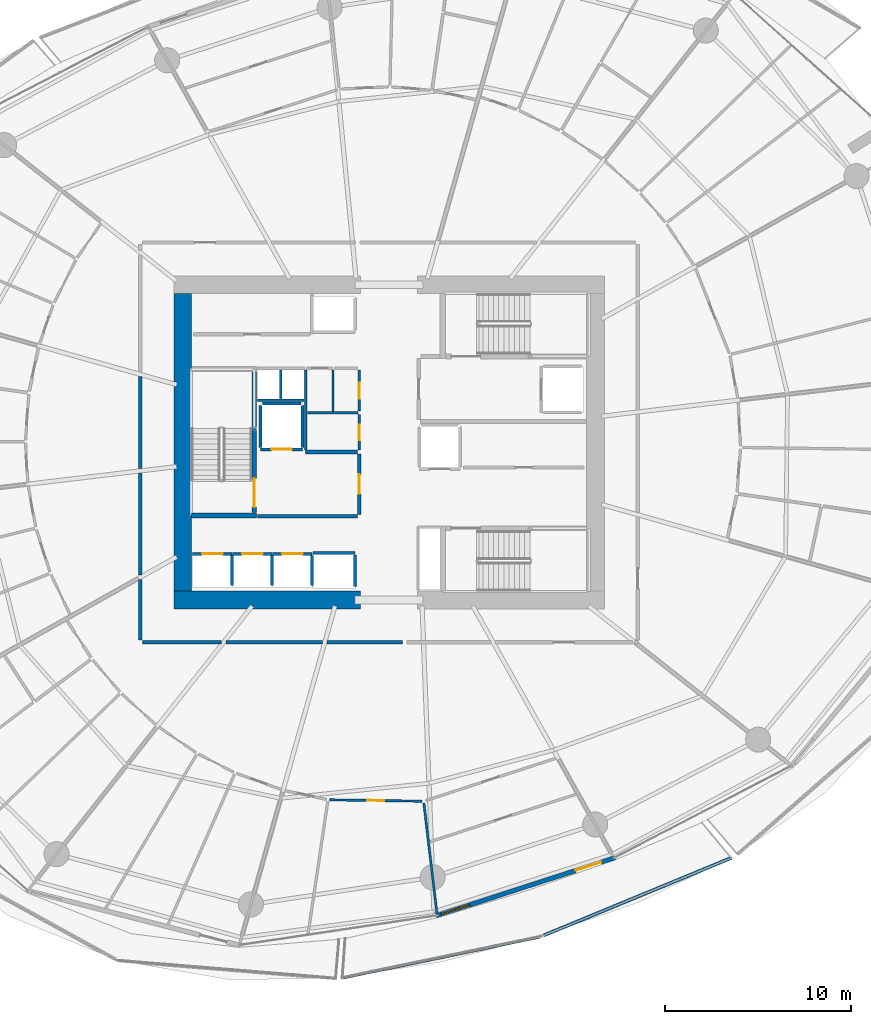
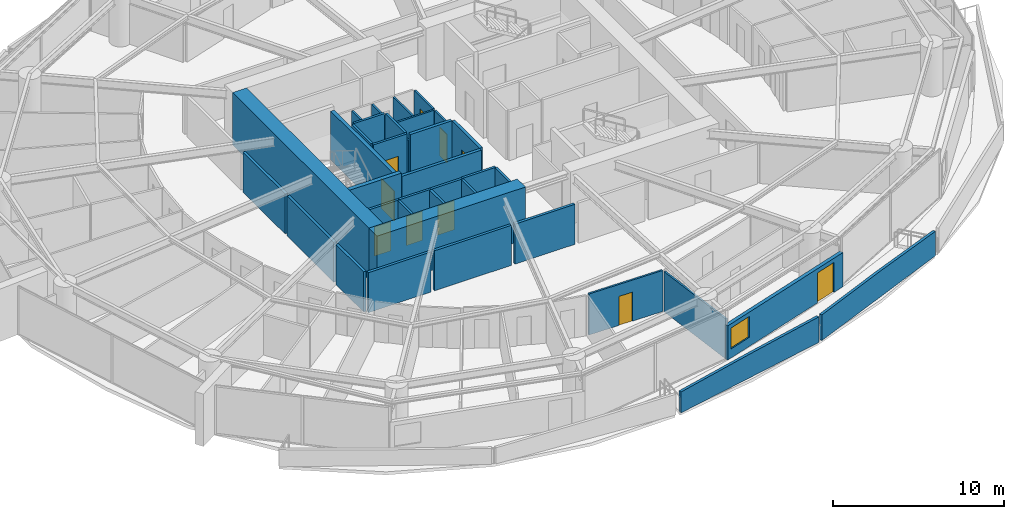
# One storey, part 20 of 31: 37 walls, 10 doors, 1 window, 11 openings.
"""IFC4 building model written with IfcOpenShell, lengths in metres."""

import ifcopenshell
import ifcopenshell.guid

model = None  # the IFC model being written
_history = None  # IfcOwnerHistory: only IFC2X3 demands one
_inside = {}  # id of a spatial element -> (the spatial element, [elements in it])
_under = {}  # id of a project, library or spatial element -> (it, [spatial elements below it])
_declared = {}  # id of a project -> (the project, [libraries it declares])
_typed = {}  # id of a type object -> (the type object, [elements of that type])
_made_of = {}  # id of a material, layer set ... -> (it, [elements and type objects made of it])


def new_model(schema):
    """Start an empty IFC model of exactly this schema.

    Asked for "IFC4X3", IfcOpenShell would pick the latest addendum, in which some entities
    have other attributes; the version numbers below select the first issue.
    IFC2X3 requires an IfcOwnerHistory on every rooted entity: one is made here for all.
    """
    global model, _history
    if schema == "IFC4X3":
        model = ifcopenshell.file(schema_version=(4, 3, 0, 0))
    else:
        model = ifcopenshell.file(schema=schema)
    _inside.clear()
    _under.clear()
    _declared.clear()
    _typed.clear()
    _made_of.clear()
    _history = None
    if model.schema == "IFC2X3":
        org = make("IfcOrganization", Name="unknown")
        user = make(
            "IfcPersonAndOrganization",
            ThePerson=make("IfcPerson", FamilyName="unknown"),
            TheOrganization=org,
        )
        app = make(
            "IfcApplication",
            ApplicationDeveloper=org,
            Version="unknown",
            ApplicationFullName="unknown",
            ApplicationIdentifier="unknown",
        )
        _history = make(
            "IfcOwnerHistory",
            OwningUser=user,
            OwningApplication=app,
            ChangeAction="ADDED",
            CreationDate=0,
        )
    return model


def make(cls, **values):
    """One entity of the class cls with the attributes given. An attribute that is None is left unset."""
    return model.create_entity(
        cls, **{name: value for name, value in values.items() if value is not None}
    )


def rooted(cls, **values):
    """An entity with a GlobalId (a new one), such as an element, a storey or a relation."""
    return make(cls, GlobalId=ifcopenshell.guid.new(), OwnerHistory=_history, **values)


def si_unit(unit_type, name, prefix=None):
    """IfcSIUnit, for example si_unit("LENGTHUNIT", "METRE", prefix="MILLI")."""
    return make("IfcSIUnit", UnitType=unit_type, Prefix=prefix, Name=name)


def assignment(units):
    """IfcUnitAssignment: the units of a project."""
    return None if units is None else make("IfcUnitAssignment", Units=units)


def point(xyz):
    """IfcCartesianPoint."""
    return None if xyz is None else make("IfcCartesianPoint", Coordinates=xyz)


def direction(xyz):
    """IfcDirection."""
    return None if xyz is None else make("IfcDirection", DirectionRatios=xyz)


def frame(location, z_axis=None, x_axis=None):
    """IfcAxis2Placement3D, a coordinate frame: its origin and axes. An axis left out is left unset."""
    return make(
        "IfcAxis2Placement3D",
        Location=point(location),
        Axis=direction(z_axis),
        RefDirection=direction(x_axis),
    )


def frame_2d(location, x_axis=None):
    """IfcAxis2Placement2D, a coordinate frame in the plane: its origin and x axis."""
    return make(
        "IfcAxis2Placement2D", Location=point(location), RefDirection=direction(x_axis)
    )


def origin():
    """The frame at (0, 0, 0) with its axes left unset."""
    return frame((0.0, 0.0, 0.0))


def place(relative_to, where):
    """IfcLocalPlacement: puts the frame where relative to a parent placement (None: the world)."""
    return make(
        "IfcLocalPlacement", PlacementRelTo=relative_to, RelativePlacement=where
    )


def context(
    kind, dimensions, precision=None, world=None, true_north=None, identifier=None
):
    """IfcGeometricRepresentationContext, for example the 3D "Model" context."""
    return make(
        "IfcGeometricRepresentationContext",
        ContextIdentifier=identifier,
        ContextType=kind,
        CoordinateSpaceDimension=dimensions,
        Precision=precision,
        WorldCoordinateSystem=world,
        TrueNorth=true_north,
    )


def subcontext(parent, identifier, kind, view, scale=None):
    """IfcGeometricRepresentationSubContext, for example "Body" below "Model"."""
    return make(
        "IfcGeometricRepresentationSubContext",
        ContextIdentifier=identifier,
        ContextType=kind,
        ParentContext=parent,
        TargetScale=scale,
        TargetView=view,
    )


def project(units=None, contexts=None):
    """IfcProject with its units and contexts."""
    return rooted(
        "IfcProject",
        Name="project",
        RepresentationContexts=contexts,
        UnitsInContext=assignment(units),
    )


def spatial(cls, under=None, at=None, **own):
    """A site, building, storey or space (cls), placed at a placement, below another one or the project."""
    s = rooted(cls, ObjectPlacement=at, **own)
    if under is not None:
        _under.setdefault(under.id(), (under, []))[1].append(s)
    return s


def polyline(points):
    """IfcPolyline through the points."""
    return make("IfcPolyline", Points=[point(p) for p in points])


def profile(cls, at=None, kind="AREA", **sizes):
    """A parametric profile (cls). Its sizes go by their IFC names, for example OverallWidth=200.0."""
    return make(cls, ProfileType=kind, Position=at, **sizes)


def rectangle(**sizes):
    """IfcRectangleProfileDef."""
    return profile("IfcRectangleProfileDef", **sizes)


def outline(outer, holes=None, kind="AREA"):
    """IfcArbitraryClosedProfileDef: a profile drawn as a closed curve; with holes, ...WithVoids."""
    if holes is None:
        return make("IfcArbitraryClosedProfileDef", ProfileType=kind, OuterCurve=outer)
    return make(
        "IfcArbitraryProfileDefWithVoids",
        ProfileType=kind,
        OuterCurve=outer,
        InnerCurves=holes,
    )


def extrude(swept, where, along, depth):
    """IfcExtrudedAreaSolid: the profile swept, set in the frame where, extruded along a direction by depth."""
    return make(
        "IfcExtrudedAreaSolid",
        SweptArea=swept,
        Position=where,
        ExtrudedDirection=direction(along),
        Depth=depth,
    )


def shape(context_of_items, identifier, shape_type, items):
    """IfcShapeRepresentation: the items that make up one representation, for example the "Body"."""
    return make(
        "IfcShapeRepresentation",
        ContextOfItems=context_of_items,
        RepresentationIdentifier=identifier,
        RepresentationType=shape_type,
        Items=items,
    )


def material(Name=None, Category=None):
    """IfcMaterial."""
    return make("IfcMaterial", Name=Name, Category=Category)


def layer(
    of_material, thickness, ventilated=None, Name=None, Category=None, Priority=None
):
    """IfcMaterialLayer: one layer of a wall or slab, of a material (None: an air gap)."""
    return make(
        "IfcMaterialLayer",
        Material=of_material,
        LayerThickness=thickness,
        IsVentilated=ventilated,
        Name=Name,
        Category=Category,
        Priority=Priority,
    )


def layer_set(layers, Name=None):
    """IfcMaterialLayerSet."""
    return make("IfcMaterialLayerSet", MaterialLayers=layers, LayerSetName=Name)


def made_of(thing, what):
    """Note that an element or type object is made of a material, layer set ...; save() writes the relation."""
    if what is not None:
        _made_of.setdefault(what.id(), (what, []))[1].append(thing)
    return thing


def type_object(cls, material=None, **own):
    """A type object (cls), such as IfcWallType, which elements share."""
    return made_of(rooted(cls, **own), material)


def element(
    cls,
    number,
    at=None,
    inside=None,
    cuts=None,
    type_object=None,
    material=None,
    context=None,
    identifier="Body",
    shape_type=None,
    held_by="IfcProductDefinitionShape",
    body=None,
    shapes=None,
    **own,
):
    """One element of the class cls, such as IfcWall. Its Tag is "e" and its number.

    at: its placement. inside: the storey or other place that contains it. cuts: it is an
    opening in that element (IfcRelVoidsElement). A single representation is given by context,
    identifier, shape_type and body (its items); several are given by shapes. held_by: the class
    of the entity that holds the representations. save() writes the other relations.
    """
    e = rooted(cls, Tag="e%d" % number, ObjectPlacement=at, **own)
    if body is not None:
        shapes = [shape(context, identifier, shape_type, body)]
    if shapes is not None:
        e.Representation = make(held_by, Representations=shapes)
    if inside is not None:
        _inside.setdefault(inside.id(), (inside, []))[1].append(e)
    if cuts is not None:
        rooted(
            "IfcRelVoidsElement", RelatingBuildingElement=cuts, RelatedOpeningElement=e
        )
    if type_object is not None:
        _typed.setdefault(type_object.id(), (type_object, []))[1].append(e)
    return made_of(e, material)


def fill(opening, filler):
    """IfcRelFillsElement: the door or window that sits in an opening."""
    return rooted(
        "IfcRelFillsElement",
        RelatingOpeningElement=opening,
        RelatedBuildingElement=filler,
    )


def aggregate(whole, parts):
    """IfcRelAggregates: a whole, such as a stair, and the parts it consists of."""
    return rooted("IfcRelAggregates", RelatingObject=whole, RelatedObjects=parts)


def save(model, path):
    """Write the relations noted so far, then the file.

    IfcRelAggregates (storeys below a building ...), IfcRelContainedInSpatialStructure (elements
    in a storey), IfcRelDefinesByType, IfcRelAssociatesMaterial and IfcRelDeclares: one each for
    every whole, place, type object, material and project.
    """
    for whole, parts in _under.values():
        aggregate(whole, parts)
    for where, things in _inside.values():
        rooted(
            "IfcRelContainedInSpatialStructure",
            RelatedElements=things,
            RelatingStructure=where,
        )
    for kind, things in _typed.values():
        rooted("IfcRelDefinesByType", RelatedObjects=things, RelatingType=kind)
    for what, things in _made_of.values():
        rooted("IfcRelAssociatesMaterial", RelatedObjects=things, RelatingMaterial=what)
    for by, libraries in _declared.values():
        rooted("IfcRelDeclares", RelatingContext=by, RelatedDefinitions=libraries)
    model.write(path)


model = new_model("IFC4")

# Units and contexts
model_context = context("Model", 3, precision=1e-05, world=origin(), true_north=direction((0.0, 1.0)))
body_context = subcontext(model_context, "Body", "Model", "MODEL_VIEW")
ifc_project = project(units=[si_unit("LENGTHUNIT", "METRE"), si_unit("AREAUNIT", "SQUARE_METRE"), si_unit("VOLUMEUNIT", "CUBIC_METRE"), si_unit("PLANEANGLEUNIT", "RADIAN"), si_unit("MASSUNIT", "GRAM", prefix="KILO")], contexts=[model_context])

# Site, building, storey
site_placement = place(None, origin())
site = spatial("IfcSite", under=ifc_project, at=site_placement, CompositionType="ELEMENT")
building_placement = place(site_placement, origin())
building = spatial("IfcBuilding", under=site, at=building_placement, Name="Kazma Halo Residences", CompositionType="ELEMENT")
storey_placement = place(building_placement, frame((0.0, 0.0, 41.39990234375)))
storey = spatial("IfcBuildingStorey", under=building, at=storey_placement, Name="L09", CompositionType="ELEMENT", Elevation=41.39990234375)

# Walls
ifc_material_1 = material(Name="White Concrete C50/60 Balustrade", Category="concrete")
ifc_layer_1 = layer(ifc_material_1, 0.179931640625)
ifc_layer_set_1 = layer_set([ifc_layer_1], Name="White Concrete C50/60 Balustrade")
wall_type_1 = type_object("IfcWallType", Name="WL-BAL-WAVE-180", PredefinedType="PARAPET", material=ifc_layer_set_1)
wall_1_placement = place(storey_placement, frame((45.9111328125, 13.21044921875, 0.0), z_axis=(0.0, 0.0, 1.0), x_axis=(0.979112078275, 0.203321268379, 0.0)))
element("IfcWall", 1, at=wall_1_placement, inside=storey, type_object=wall_type_1, Name="L09 white wave balustrade wall SSE.1", PredefinedType="PARAPET", context=body_context, shape_type="SweptSolid", body=[
    extrude(outline(polyline([(0.0, 0.0), (10.828369140625, 0.0), (10.82861328125, 1.83203125), (5.414306640625, 1.696044921875), (0.0, 1.4970703125), (0.0, 0.0)])), frame((0.0, 0.08984375, 0.0), z_axis=(0.0, -1.0, 0.0), x_axis=(1.0, 0.0, 0.0)), (0.0, 0.0, 1.0), 0.179931640625),
])
wall_2_placement = place(storey_placement, frame((56.741943359375, 15.482421875, 0.0), z_axis=(0.0, 0.0, 1.0), x_axis=(0.924219630584, 0.381861328813, 0.0)))
element("IfcWall", 2, at=wall_2_placement, inside=storey, type_object=wall_type_1, Name="L09 white wave balustrade wall SSE.2", PredefinedType="PARAPET", context=body_context, shape_type="SweptSolid", body=[
    extrude(outline(polyline([(0.0, 0.0), (10.93408203125, 0.0), (10.93408203125, 1.756103515625), (5.467041015625, 1.85302734375), (0.0, 1.83203125), (0.0, 0.0)])), frame((0.0, 0.08984375, 0.0), z_axis=(0.0, -1.0, 0.0), x_axis=(1.0, 0.0, 0.0)), (0.0, 0.0, 1.0), 0.179931640625),
])
ifc_material_2 = material(Name="Concrete C80/95", Category="concrete")
ifc_layer_2 = layer(ifc_material_2, 0.949951171875)
ifc_layer_set_2 = layer_set([ifc_layer_2], Name="Concrete C80/95")
wall_type_2 = type_object("IfcWallType", Name="WL-CORE-950", PredefinedType="SHEAR", material=ifc_layer_set_2)
wall_3_placement = place(storey_placement, frame((36.85009765625, 33.52490234375, 0.0), z_axis=(0.0, 0.0, 1.0), x_axis=(1.0, 0.0, 0.0)))
element("IfcWall", 3, at=wall_3_placement, inside=storey, type_object=wall_type_2, Name="L09 central core shear wall SW", PredefinedType="SHEAR", context=body_context, shape_type="SweptSolid", body=[
    extrude(rectangle(XDim=10.0498046875, YDim=0.949951171875, at=frame_2d((5.02490234375, 0.0))), origin(), (0.0, 0.0, 1.0), 3.75),
])
wall_4_placement = place(storey_placement, frame((37.324951171875, 34.0, 0.0), z_axis=(0.0, 0.0, 1.0), x_axis=(0.0, 1.0, 0.0)))
element("IfcWall", 4, at=wall_4_placement, inside=storey, type_object=wall_type_2, Name="L09 central core shear wall W", PredefinedType="SHEAR", context=body_context, shape_type="SweptSolid", body=[
    extrude(rectangle(XDim=16.0, YDim=0.949951171875, at=frame_2d((8.0, 0.0))), origin(), (0.0, 0.0, 1.0), 3.75),
])
ifc_material_3 = material(Name="Concrete C60/75", Category="concrete")
ifc_layer_3 = layer(ifc_material_3, 0.280029296875)
ifc_layer_set_3 = layer_set([ifc_layer_3], Name="Concrete C60/75")
wall_type_3 = type_object("IfcWallType", Name="WL-CORE-ST-280", PredefinedType="SHEAR", material=ifc_layer_set_3)
wall_5_placement = place(storey_placement, frame((37.800048828125, 38.06005859375, 0.0), z_axis=(0.0, 0.0, 1.0), x_axis=(1.0, 0.0, 0.0)))
element("IfcWall", 5, at=wall_5_placement, inside=storey, type_object=wall_type_3, Name="L09 stairwell bearing wall ST01-S", PredefinedType="SHEAR", context=body_context, shape_type="SweptSolid", body=[
    extrude(rectangle(XDim=3.5, YDim=0.280029296875, at=frame_2d((1.75, 0.0))), origin(), (0.0, 0.0, 1.0), 3.75),
])
ifc_material_4 = material(Name="Acoustic Twin-Stud Gypsum")
ifc_layer_4 = layer(ifc_material_4, 0.179931640625)
ifc_layer_set_4 = layer_set([ifc_layer_4], Name="Acoustic Twin-Stud Gypsum")
wall_type_4 = type_object("IfcWallType", Name="WL-DEM-180", PredefinedType="PARTITIONING", material=ifc_layer_set_4)
wall_6_placement = place(storey_placement, frame((35.050048828125, 45.5322265625, 0.0), z_axis=(0.0, 0.0, 1.0), x_axis=(0.0, -1.0, 0.0)))
element("IfcWall", 6, at=wall_6_placement, inside=storey, type_object=wall_type_4, Name="L09 Apartment 1 inner wall 6", PredefinedType="PARTITIONING", context=body_context, shape_type="SweptSolid", body=[
    extrude(rectangle(XDim=4.94482421875, YDim=0.179931640625, at=frame_2d((2.472412109375, 0.0))), origin(), (0.0, 0.0, 1.0), 2.8671875),
])
wall_7_placement = place(storey_placement, frame((35.050048828125, 40.347412109375, 0.0), z_axis=(0.0, 0.0, 1.0), x_axis=(0.0, -1.0, 0.0)))
element("IfcWall", 7, at=wall_7_placement, inside=storey, type_object=wall_type_4, Name="L09 Apartment 1 inner wall 7", PredefinedType="PARTITIONING", context=body_context, shape_type="SweptSolid", body=[
    extrude(rectangle(XDim=5.479736328125, YDim=0.179931640625, at=frame_2d((2.73974609375, 0.0))), origin(), (0.0, 0.0, 1.0), 2.8671875),
])
wall_8_placement = place(storey_placement, frame((35.050048828125, 34.627685546875, 0.0), z_axis=(0.0, 0.0, 1.0), x_axis=(0.0, -1.0, 0.0)))
element("IfcWall", 8, at=wall_8_placement, inside=storey, type_object=wall_type_4, Name="L09 Apartment 2 inner wall 8", PredefinedType="PARTITIONING", context=body_context, shape_type="SweptSolid", body=[
    extrude(rectangle(XDim=3.257568359375, YDim=0.179931640625, at=frame_2d((1.62890625, 0.0))), origin(), (0.0, 0.0, 1.0), 2.8671875),
])
wall_9_placement = place(storey_placement, frame((35.169921875, 31.25, 0.0), z_axis=(0.0, 0.0, 1.0), x_axis=(1.0, 0.0, 0.0)))
element("IfcWall", 9, at=wall_9_placement, inside=storey, type_object=wall_type_4, Name="L09 Apartment 2 inner wall 8", PredefinedType="PARTITIONING", context=body_context, shape_type="SweptSolid", body=[
    extrude(rectangle(XDim=4.235595703125, YDim=0.179931640625, at=frame_2d((2.11767578125, 0.0))), origin(), (0.0, 0.0, 1.0), 2.8671875),
])
wall_10_placement = place(storey_placement, frame((39.6455078125, 31.25, 0.0), z_axis=(0.0, 0.0, 1.0), x_axis=(1.0, 0.0, 0.0)))
element("IfcWall", 10, at=wall_10_placement, inside=storey, type_object=wall_type_4, Name="L09 Apartment 2 inner wall 9", PredefinedType="PARTITIONING", context=body_context, shape_type="SweptSolid", body=[
    extrude(rectangle(XDim=5.20263671875, YDim=0.179931640625, at=frame_2d((2.601318359375, 0.0))), origin(), (0.0, 0.0, 1.0), 2.8671875),
])
wall_11_placement = place(storey_placement, frame((45.088134765625, 31.25, 0.0), z_axis=(0.0, 0.0, 1.0), x_axis=(1.0, 0.0, 0.0)))
element("IfcWall", 11, at=wall_11_placement, inside=storey, type_object=wall_type_4, Name="L09 Apartment 2 inner wall 10", PredefinedType="PARTITIONING", context=body_context, shape_type="SweptSolid", body=[
    extrude(rectangle(XDim=4.064208984375, YDim=0.179931640625, at=frame_2d((2.0322265625, 0.0))), origin(), (0.0, 0.0, 1.0), 2.8671875),
])

# Wall, openings, door, window
ifc_material_5 = material(Name="Insulated Pale-Metal Composite Wall")
ifc_layer_5 = layer(ifc_material_5, 0.239990234375)
ifc_layer_set_5 = layer_set([ifc_layer_5], Name="Insulated Pale-Metal Composite Wall")
wall_type_5 = type_object("IfcWallType", Name="WL-EXT-HOST-240", PredefinedType="SOLIDWALL", material=ifc_layer_set_5)
wall_12_placement = place(storey_placement, frame((50.9638671875, 16.54150390625, 0.0), z_axis=(0.0, 0.0, 1.0), x_axis=(0.951054679225, 0.309022648238, 0.0)))
wall_12 = element("IfcWall", 12, at=wall_12_placement, inside=storey, type_object=wall_type_5, Name="L09 exterior terrace-access wall B12", PredefinedType="SOLIDWALL", context=body_context, shape_type="SweptSolid", body=[
    extrude(rectangle(XDim=10.0966796875, YDim=0.239990234375, at=frame_2d((5.04833984375, 0.0))), origin(), (0.0, 0.0, 1.0), 2.4501953125),
])
opening_1_placement = place(wall_12_placement, frame((7.876708984375, 0.0, 0.0)))
opening_1 = element("IfcOpeningElement", 13, at=opening_1_placement, cuts=wall_12, Name="Opening DTR-1600", PredefinedType="OPENING", context=body_context, shape_type="SweptSolid", body=[
    extrude(rectangle(XDim=1.449951171875, YDim=2.14990234375, at=frame_2d((0.72509765625, 1.074951171875))), frame((0.0, 0.1298828125, 0.0), z_axis=(0.0, -1.0, 0.0), x_axis=(1.0, 0.0, 0.0)), (0.0, 0.0, 1.0), 0.260009765625),
])
opening_2_placement = place(wall_12_placement, frame((0.280029296875, 0.0, 0.64990234375)))
opening_2 = element("IfcOpeningElement", 14, at=opening_2_placement, cuts=wall_12, Name="Opening W-1800", PredefinedType="OPENING", context=body_context, shape_type="SweptSolid", body=[
    extrude(rectangle(XDim=1.60009765625, YDim=1.5, at=frame_2d((0.800048828125, 0.75))), frame((0.0, 0.1298828125, 0.0), z_axis=(0.0, -1.0, 0.0), x_axis=(1.0, 0.0, 0.0)), (0.0, 0.0, 1.0), 0.260009765625),
])
ifc_material_6 = material(Name="Aluminium AW-6063 T6 Double-Glazed Terrace Door", Category="aluminium")
door_type_1 = type_object("IfcDoorType", Name="DR-EXT-TERR-1600", OperationType="NOTDEFINED", PredefinedType="DOOR", material=ifc_material_6)
door_1_placement = place(opening_1_placement, origin())
door_1 = element("IfcDoor", 15, at=door_1_placement, inside=storey, type_object=door_type_1, Name="L09 B12 balcony terrace door", OperationType="DOUBLE_DOOR_SLIDING", OverallHeight=2.14990234375, OverallWidth=1.449951171875, PredefinedType="DOOR", context=body_context, shape_type="SweptSolid", body=[
    extrude(rectangle(XDim=1.449951171875, YDim=2.14990234375, at=frame_2d((0.72509765625, 1.074951171875))), frame((0.0, 0.02490234375, 0.0), z_axis=(0.0, -1.0, 0.0), x_axis=(1.0, 0.0, 0.0)), (0.0, 0.0, 1.0), 0.050048828125),
])
fill(opening_1, door_1)
ifc_material_7 = material(Name="Clear Triple-Silver Low-E Glass in Aluminium AW-6063 T6 Frame", Category="aluminium")
window_type = type_object("IfcWindowType", Name="WIN-RES-1800", PartitioningType="DOUBLE_PANEL_VERTICAL", PredefinedType="WINDOW", material=ifc_material_7)
window_placement = place(opening_2_placement, origin())
window = element("IfcWindow", 16, at=window_placement, inside=storey, type_object=window_type, Name="L09 B12 apartment window", OverallHeight=1.5, OverallWidth=1.60009765625, PartitioningType="SINGLE_PANEL", PredefinedType="WINDOW", context=body_context, shape_type="SweptSolid", body=[
    extrude(rectangle(XDim=1.60009765625, YDim=1.5, at=frame_2d((0.800048828125, 0.75))), frame((0.0, 0.030029296875, 0.0), z_axis=(0.0, -1.0, 0.0), x_axis=(1.0, 0.0, 0.0)), (0.0, 0.0, 1.0), 0.06005859375),
])
fill(opening_2, window)

# Wall, opening, door
ifc_material_8 = material(Name="Fire-Rated Blockwork Masonry", Category="masonry")
ifc_layer_6 = layer(ifc_material_8, 0.199951171875)
ifc_layer_set_6 = layer_set([ifc_layer_6], Name="Fire-Rated Blockwork Masonry")
wall_type_6 = type_object("IfcWallType", Name="WL-FLB-200", PredefinedType="PARTITIONING", material=ifc_layer_set_6)
wall_13_placement = place(storey_placement, frame((37.864990234375, 36.0048828125, 0.0), z_axis=(0.0, 0.0, 1.0), x_axis=(1.0, 0.0, 0.0)))
wall_13 = element("IfcWall", 17, at=wall_13_placement, inside=storey, type_object=wall_type_6, Name="L09 lift shaft PL-01 front wall", PredefinedType="PARTITIONING", context=body_context, shape_type="SweptSolid", body=[
    extrude(rectangle(XDim=2.110107421875, YDim=0.159912109375, at=frame_2d((1.05517578125, 0.0))), origin(), (0.0, 0.0, 1.0), 3.5),
])
opening_3_placement = place(wall_13_placement, frame((0.5048828125, 0.0, 0.0)))
opening_3 = element("IfcOpeningElement", 18, at=opening_3_placement, cuts=wall_13, Name="Opening LD-PL-01", PredefinedType="OPENING", context=body_context, shape_type="SweptSolid", body=[
    extrude(rectangle(XDim=1.10009765625, YDim=2.10009765625, at=frame_2d((0.550048828125, 1.050048828125))), frame((0.0, 0.08984375, 0.0), z_axis=(0.0, -1.0, 0.0), x_axis=(1.0, 0.0, 0.0)), (0.0, 0.0, 1.0), 0.179931640625),
])
ifc_material_9 = material(Name="Stainless Steel Fire-Rated", Category="steel")
door_type_2 = type_object("IfcDoorType", Name="DR-LIFT-SLD-1100", OperationType="DOUBLE_DOOR_SLIDING", PredefinedType="DOOR", material=ifc_material_9)
door_2_placement = place(opening_3_placement, origin())
door_2 = element("IfcDoor", 19, at=door_2_placement, inside=storey, type_object=door_type_2, Name="L09 lift PL-01 sliding landing door", OperationType="DOUBLE_DOOR_SLIDING", OverallHeight=2.10009765625, OverallWidth=1.10009765625, PredefinedType="DOOR", context=body_context, shape_type="SweptSolid", body=[
    extrude(rectangle(XDim=1.10009765625, YDim=2.10009765625, at=frame_2d((0.550048828125, 1.050048828125))), frame((0.0, 0.02490234375, 0.0), z_axis=(0.0, -1.0, 0.0), x_axis=(1.0, 0.0, 0.0)), (0.0, 0.0, 1.0), 0.050048828125),
])
fill(opening_3, door_2)

# Wall
wall_14_placement = place(storey_placement, frame((39.97509765625, 34.294921875, 0.0), z_axis=(0.0, 0.0, 1.0), x_axis=(0.0, 1.0, 0.0)))
element("IfcWall", 20, at=wall_14_placement, inside=storey, type_object=wall_type_6, Name="L09 lift shaft PL-01 side wall E", PredefinedType="PARTITIONING", context=body_context, shape_type="SweptSolid", body=[
    extrude(rectangle(XDim=1.610107421875, YDim=0.159912109375, at=frame_2d((0.80517578125, 0.0))), origin(), (0.0, 0.0, 1.0), 3.5),
])

# Wall, opening, door
wall_15_placement = place(storey_placement, frame((40.014892578125, 36.0048828125, 0.0), z_axis=(0.0, 0.0, 1.0), x_axis=(1.0, 0.0, 0.0)))
wall_15 = element("IfcWall", 21, at=wall_15_placement, inside=storey, type_object=wall_type_6, Name="L09 lift shaft PL-02 front wall", PredefinedType="PARTITIONING", context=body_context, shape_type="SweptSolid", body=[
    extrude(rectangle(XDim=2.110107421875, YDim=0.159912109375, at=frame_2d((1.05517578125, 0.0))), origin(), (0.0, 0.0, 1.0), 3.5),
])
opening_4_placement = place(wall_15_placement, frame((0.5048828125, 0.0, 0.0)))
opening_4 = element("IfcOpeningElement", 22, at=opening_4_placement, cuts=wall_15, Name="Opening LD-PL-02", PredefinedType="OPENING", context=body_context, shape_type="SweptSolid", body=[
    extrude(rectangle(XDim=1.10009765625, YDim=2.10009765625, at=frame_2d((0.550048828125, 1.050048828125))), frame((0.0, 0.08984375, 0.0), z_axis=(0.0, -1.0, 0.0), x_axis=(1.0, 0.0, 0.0)), (0.0, 0.0, 1.0), 0.179931640625),
])
door_3_placement = place(opening_4_placement, origin())
door_3 = element("IfcDoor", 23, at=door_3_placement, inside=storey, type_object=door_type_2, Name="L09 lift PL-02 sliding landing door", OperationType="DOUBLE_DOOR_SLIDING", OverallHeight=2.10009765625, OverallWidth=1.10009765625, PredefinedType="DOOR", context=body_context, shape_type="SweptSolid", body=[
    extrude(rectangle(XDim=1.10009765625, YDim=2.10009765625, at=frame_2d((0.550048828125, 1.050048828125))), frame((0.0, 0.02490234375, 0.0), z_axis=(0.0, -1.0, 0.0), x_axis=(1.0, 0.0, 0.0)), (0.0, 0.0, 1.0), 0.050048828125),
])
fill(opening_4, door_3)

# Wall
wall_16_placement = place(storey_placement, frame((42.125, 34.294921875, 0.0), z_axis=(0.0, 0.0, 1.0), x_axis=(0.0, 1.0, 0.0)))
element("IfcWall", 24, at=wall_16_placement, inside=storey, type_object=wall_type_6, Name="L09 lift shaft PL-02 side wall E", PredefinedType="PARTITIONING", context=body_context, shape_type="SweptSolid", body=[
    extrude(rectangle(XDim=1.610107421875, YDim=0.159912109375, at=frame_2d((0.80517578125, 0.0))), origin(), (0.0, 0.0, 1.0), 3.5),
])

# Wall, opening, door
wall_17_placement = place(storey_placement, frame((42.1650390625, 36.0048828125, 0.0), z_axis=(0.0, 0.0, 1.0), x_axis=(1.0, 0.0, 0.0)))
wall_17 = element("IfcWall", 25, at=wall_17_placement, inside=storey, type_object=wall_type_6, Name="L09 lift shaft PL-03 front wall", PredefinedType="PARTITIONING", context=body_context, shape_type="SweptSolid", body=[
    extrude(rectangle(XDim=2.10986328125, YDim=0.159912109375, at=frame_2d((1.054931640625, 0.0))), origin(), (0.0, 0.0, 1.0), 3.5),
])
opening_5_placement = place(wall_17_placement, frame((0.5048828125, 0.0, 0.0)))
opening_5 = element("IfcOpeningElement", 26, at=opening_5_placement, cuts=wall_17, Name="Opening LD-PL-03", PredefinedType="OPENING", context=body_context, shape_type="SweptSolid", body=[
    extrude(rectangle(XDim=1.10009765625, YDim=2.10009765625, at=frame_2d((0.550048828125, 1.050048828125))), frame((0.0, 0.08984375, 0.0), z_axis=(0.0, -1.0, 0.0), x_axis=(1.0, 0.0, 0.0)), (0.0, 0.0, 1.0), 0.179931640625),
])
door_4_placement = place(opening_5_placement, origin())
door_4 = element("IfcDoor", 27, at=door_4_placement, inside=storey, type_object=door_type_2, Name="L09 lift PL-03 sliding landing door", OperationType="DOUBLE_DOOR_SLIDING", OverallHeight=2.10009765625, OverallWidth=1.10009765625, PredefinedType="DOOR", context=body_context, shape_type="SweptSolid", body=[
    extrude(rectangle(XDim=1.10009765625, YDim=2.10009765625, at=frame_2d((0.550048828125, 1.050048828125))), frame((0.0, 0.02490234375, 0.0), z_axis=(0.0, -1.0, 0.0), x_axis=(1.0, 0.0, 0.0)), (0.0, 0.0, 1.0), 0.050048828125),
])
fill(opening_5, door_4)

# Walls
wall_18_placement = place(storey_placement, frame((44.27490234375, 34.294921875, 0.0), z_axis=(0.0, 0.0, 1.0), x_axis=(0.0, 1.0, 0.0)))
element("IfcWall", 28, at=wall_18_placement, inside=storey, type_object=wall_type_6, Name="L09 lift shaft PL-03 side wall E", PredefinedType="PARTITIONING", context=body_context, shape_type="SweptSolid", body=[
    extrude(rectangle(XDim=1.610107421875, YDim=0.159912109375, at=frame_2d((0.80517578125, 0.0))), origin(), (0.0, 0.0, 1.0), 3.5),
])
wall_19_placement = place(storey_placement, frame((44.320068359375, 36.054931640625, 0.0), z_axis=(0.0, 0.0, 1.0), x_axis=(1.0, 0.0, 0.0)))
element("IfcWall", 29, at=wall_19_placement, inside=storey, type_object=wall_type_6, Name="L09 lift shaft PX-02 front wall", PredefinedType="PARTITIONING", context=body_context, shape_type="SweptSolid", body=[
    extrude(rectangle(XDim=2.260009765625, YDim=0.159912109375, at=frame_2d((1.1298828125, 0.0))), origin(), (0.0, 0.0, 1.0), 3.5),
])
wall_20_placement = place(storey_placement, frame((46.580078125, 34.2451171875, 0.0), z_axis=(0.0, 0.0, 1.0), x_axis=(0.0, 1.0, 0.0)))
element("IfcWall", 30, at=wall_20_placement, inside=storey, type_object=wall_type_6, Name="L09 lift shaft PX-02 side wall E", PredefinedType="PARTITIONING", context=body_context, shape_type="SweptSolid", body=[
    extrude(rectangle(XDim=1.7099609375, YDim=0.159912109375, at=frame_2d((0.85498046875, 0.0))), origin(), (0.0, 0.0, 1.0), 3.5),
])

# Wall, opening, door
wall_21_placement = place(storey_placement, frame((43.780029296875, 41.6201171875, 0.0), z_axis=(0.0, 0.0, 1.0), x_axis=(-1.0, 0.0, 0.0)))
wall_21 = element("IfcWall", 31, at=wall_21_placement, inside=storey, type_object=wall_type_6, Name="L09 lift shaft FL-01 front wall", PredefinedType="PARTITIONING", context=body_context, shape_type="SweptSolid", body=[
    extrude(rectangle(XDim=2.260009765625, YDim=0.159912109375, at=frame_2d((1.1298828125, 0.0))), origin(), (0.0, 0.0, 1.0), 3.5),
])
opening_6_placement = place(wall_21_placement, frame((0.580078125, 0.0, 0.0)))
opening_6 = element("IfcOpeningElement", 32, at=opening_6_placement, cuts=wall_21, Name="Opening LD-FL-01", PredefinedType="OPENING", context=body_context, shape_type="SweptSolid", body=[
    extrude(rectangle(XDim=1.10009765625, YDim=2.10009765625, at=frame_2d((0.550048828125, 1.050048828125))), frame((0.0, 0.08984375, 0.0), z_axis=(0.0, -1.0, 0.0), x_axis=(1.0, 0.0, 0.0)), (0.0, 0.0, 1.0), 0.179931640625),
])
door_5_placement = place(opening_6_placement, origin())
door_5 = element("IfcDoor", 33, at=door_5_placement, inside=storey, type_object=door_type_2, Name="L09 lift FL-01 sliding landing door", OperationType="DOUBLE_DOOR_SLIDING", OverallHeight=2.10009765625, OverallWidth=1.10009765625, PredefinedType="DOOR", context=body_context, shape_type="SweptSolid", body=[
    extrude(rectangle(XDim=1.10009765625, YDim=2.10009765625, at=frame_2d((0.550048828125, 1.050048828125))), frame((0.0, 0.02490234375, 0.0), z_axis=(0.0, -1.0, 0.0), x_axis=(1.0, 0.0, 0.0)), (0.0, 0.0, 1.0), 0.050048828125),
])
fill(opening_6, door_5)

# Walls
for number, where, z_axis, x_axis, name in (
    (34, (43.780029296875, 41.719970703125, 0.0), (0.0, 0.0, 1.0), (0.0, 1.0, 0.0), "L09 lift shaft FL-01 side wall E"),
    (35, (41.52001953125, 41.719970703125, 0.0), (0.0, 0.0, 1.0), (0.0, 1.0, 0.0), "L09 lift shaft FL-01 side wall W"),
):
    element("IfcWall", number, at=place(storey_placement, frame(where, z_axis=z_axis, x_axis=x_axis)), inside=storey, type_object=wall_type_6, Name=name, PredefinedType="PARTITIONING", context=body_context, shape_type="SweptSolid", body=[
        extrude(rectangle(XDim=2.260009765625, YDim=0.159912109375, at=frame_2d((1.1298828125, 0.0))), origin(), (0.0, 0.0, 1.0), 3.5),
    ])
wall_22_placement = place(storey_placement, frame((41.6201171875, 44.080078125, 0.0), z_axis=(0.0, 0.0, 1.0), x_axis=(1.0, 0.0, 0.0)))
element("IfcWall", 36, at=wall_22_placement, inside=storey, type_object=wall_type_6, Name="L09 lift shaft FL-01 side wall N", PredefinedType="PARTITIONING", context=body_context, shape_type="SweptSolid", body=[
    extrude(rectangle(XDim=2.059814453125, YDim=0.159912109375, at=frame_2d((1.02978515625, 0.0))), origin(), (0.0, 0.0, 1.0), 3.5),
])
wall_23_placement = place(storey_placement, frame((41.35009765625, 38.02001953125, 0.0), z_axis=(0.0, 0.0, 1.0), x_axis=(1.0, 0.0, 0.0)))
element("IfcWall", 37, at=wall_23_placement, inside=storey, type_object=wall_type_6, Name="L09 west firefighting lobby south smoke wall", PredefinedType="PARTITIONING", context=body_context, shape_type="SweptSolid", body=[
    extrude(rectangle(XDim=5.369873046875, YDim=0.199951171875, at=frame_2d((2.68505859375, 0.0))), origin(), (0.0, 0.0, 1.0), 3.5),
])
wall_24_placement = place(storey_placement, frame((43.919921875, 41.47998046875, 0.0), z_axis=(0.0, 0.0, 1.0), x_axis=(1.0, 0.0, 0.0)))
element("IfcWall", 38, at=wall_24_placement, inside=storey, type_object=wall_type_6, Name="L09 west firefighting lobby north smoke wall", PredefinedType="PARTITIONING", context=body_context, shape_type="SweptSolid", body=[
    extrude(rectangle(XDim=2.800048828125, YDim=0.199951171875, at=frame_2d((1.39990234375, 0.0))), origin(), (0.0, 0.0, 1.0), 3.5),
])

# Wall, opening, door
wall_25_placement = place(storey_placement, frame((46.820068359375, 38.1201171875, 0.0), z_axis=(0.0, 0.0, 1.0), x_axis=(0.0, 1.0, 0.0)))
wall_25 = element("IfcWall", 39, at=wall_25_placement, inside=storey, type_object=wall_type_6, Name="L09 west firefighting lobby smoke wall", PredefinedType="PARTITIONING", context=body_context, shape_type="SweptSolid", body=[
    extrude(rectangle(XDim=3.259765625, YDim=0.199951171875, at=frame_2d((1.6298828125, 0.0))), origin(), (0.0, 0.0, 1.0), 3.5),
])
opening_7_placement = place(wall_25_placement, frame((1.10498046875, 0.0, 0.0)))
opening_7 = element("IfcOpeningElement", 40, at=opening_7_placement, cuts=wall_25, Name="Opening D-FLW", PredefinedType="OPENING", context=body_context, shape_type="SweptSolid", body=[
    extrude(rectangle(XDim=1.050048828125, YDim=2.10009765625, at=frame_2d((0.52490234375, 1.050048828125))), frame((0.0, 0.10986328125, 0.0), z_axis=(0.0, -1.0, 0.0), x_axis=(1.0, 0.0, 0.0)), (0.0, 0.0, 1.0), 0.219970703125),
])
ifc_material_10 = material(Name="Fire-Rated Steel Leaf", Category="steel")
door_type_3 = type_object("IfcDoorType", Name="DR-FD90-1050", OperationType="NOTDEFINED", PredefinedType="DOOR", material=ifc_material_10)
door_6_placement = place(opening_7_placement, origin())
door_6 = element("IfcDoor", 41, at=door_6_placement, inside=storey, type_object=door_type_3, Name="L09 west firefighting lobby smoke door", OperationType="SINGLE_SWING_RIGHT", OverallHeight=2.10009765625, OverallWidth=1.050048828125, PredefinedType="DOOR", context=body_context, shape_type="SweptSolid", body=[
    extrude(rectangle(XDim=1.050048828125, YDim=2.10009765625, at=frame_2d((0.52490234375, 1.050048828125))), frame((0.0, 0.02490234375, 0.0), z_axis=(0.0, -1.0, 0.0), x_axis=(1.0, 0.0, 0.0)), (0.0, 0.0, 1.0), 0.050048828125),
])
fill(opening_7, door_6)

# Walls
ifc_material_11 = material(Name="Gypsum Plasterboard Partition")
ifc_layer_7 = layer(ifc_material_11, 0.125)
ifc_layer_set_7 = layer_set([ifc_layer_7], Name="Gypsum Plasterboard Partition")
wall_type_7 = type_object("IfcWallType", Name="WL-PART-125", PredefinedType="PARTITIONING", material=ifc_layer_set_7)
wall_26_placement = place(storey_placement, frame((41.360107421875, 44.260009765625, 0.0), z_axis=(0.0, 0.0, 1.0), x_axis=(1.0, 0.0, 0.0)))
element("IfcWall", 42, at=wall_26_placement, inside=storey, type_object=wall_type_7, Name="L09 core riser south wall", PredefinedType="PARTITIONING", context=body_context, shape_type="SweptSolid", body=[
    extrude(rectangle(XDim=2.5, YDim=0.125, at=frame_2d((1.25, 0.0))), origin(), (0.0, 0.0, 1.0), 2.940185546875),
])
wall_27_placement = place(storey_placement, frame((42.60009765625, 44.35009765625, 0.0), z_axis=(0.0, 0.0, 1.0), x_axis=(0.0, 1.0, 0.0)))
element("IfcWall", 43, at=wall_27_placement, inside=storey, type_object=wall_type_7, Name="L09 core riser divider wall", PredefinedType="PARTITIONING", context=body_context, shape_type="SweptSolid", body=[
    extrude(rectangle(XDim=1.5498046875, YDim=0.125, at=frame_2d((0.77490234375, 0.0))), origin(), (0.0, 0.0, 1.0), 2.940185546875),
])
wall_28_placement = place(storey_placement, frame((43.949951171875, 41.580078125, 0.0), z_axis=(0.0, 0.0, 1.0), x_axis=(0.0, 1.0, 0.0)))
element("IfcWall", 44, at=wall_28_placement, inside=storey, type_object=wall_type_7, Name="L09 core service west wall", PredefinedType="PARTITIONING", context=body_context, shape_type="SweptSolid", body=[
    extrude(rectangle(XDim=4.31982421875, YDim=0.125, at=frame_2d((2.159912109375, 0.0))), origin(), (0.0, 0.0, 1.0), 2.940185546875),
])
wall_29_placement = place(storey_placement, frame((44.030029296875, 43.590087890625, 0.0), z_axis=(0.0, 0.0, 1.0), x_axis=(1.0, 0.0, 0.0)))
element("IfcWall", 45, at=wall_29_placement, inside=storey, type_object=wall_type_7, Name="L09 core service horiz divider", PredefinedType="PARTITIONING", context=body_context, shape_type="SweptSolid", body=[
    extrude(rectangle(XDim=2.7099609375, YDim=0.125, at=frame_2d((1.35498046875, 0.0))), origin(), (0.0, 0.0, 1.0), 2.940185546875),
])
wall_30_placement = place(storey_placement, frame((45.409912109375, 43.669921875, 0.0), z_axis=(0.0, 0.0, 1.0), x_axis=(0.0, 1.0, 0.0)))
element("IfcWall", 46, at=wall_30_placement, inside=storey, type_object=wall_type_7, Name="L09 core service vert divider", PredefinedType="PARTITIONING", context=body_context, shape_type="SweptSolid", body=[
    extrude(rectangle(XDim=2.22998046875, YDim=0.125, at=frame_2d((1.114990234375, 0.0))), origin(), (0.0, 0.0, 1.0), 2.940185546875),
])

# Wall, opening, door
wall_31_placement = place(storey_placement, frame((46.820068359375, 41.580078125, 0.0), z_axis=(0.0, 0.0, 1.0), x_axis=(0.0, 1.0, 0.0)))
wall_31 = element("IfcWall", 47, at=wall_31_placement, inside=storey, type_object=wall_type_7, Name="L09 refuse room east wall", PredefinedType="PARTITIONING", context=body_context, shape_type="SweptSolid", body=[
    extrude(rectangle(XDim=1.909912109375, YDim=0.125, at=frame_2d((0.955078125, 0.0))), origin(), (0.0, 0.0, 1.0), 2.940185546875),
])
opening_8_placement = place(wall_31_placement, frame((0.530029296875, 0.0, 0.0)))
opening_8 = element("IfcOpeningElement", 48, at=opening_8_placement, cuts=wall_31, Name="Opening DS-850", PredefinedType="OPENING", context=body_context, shape_type="SweptSolid", body=[
    extrude(rectangle(XDim=0.85009765625, YDim=2.06005859375, at=frame_2d((0.425048828125, 1.030029296875))), frame((0.0, 0.072509765625, 0.0), z_axis=(0.0, -1.0, 0.0), x_axis=(1.0, 0.0, 0.0)), (0.0, 0.0, 1.0), 0.14501953125),
])
ifc_material_12 = material(Name="Painted Steel Access Leaf", Category="steel")
door_type_4 = type_object("IfcDoorType", Name="DR-SVC-850", OperationType="NOTDEFINED", PredefinedType="DOOR", material=ifc_material_12)
door_7_placement = place(opening_8_placement, origin())
door_7 = element("IfcDoor", 49, at=door_7_placement, inside=storey, type_object=door_type_4, Name="L09 refuse room door", OperationType="SINGLE_SWING_RIGHT", OverallHeight=2.06005859375, OverallWidth=0.85009765625, PredefinedType="DOOR", context=body_context, shape_type="SweptSolid", body=[
    extrude(rectangle(XDim=0.85009765625, YDim=2.06005859375, at=frame_2d((0.425048828125, 1.030029296875))), frame((0.0, 0.02490234375, 0.0), z_axis=(0.0, -1.0, 0.0), x_axis=(1.0, 0.0, 0.0)), (0.0, 0.0, 1.0), 0.050048828125),
])
fill(opening_8, door_7)

wall_32_placement = place(storey_placement, frame((46.820068359375, 43.68994140625, 0.0), z_axis=(0.0, 0.0, 1.0), x_axis=(0.0, 1.0, 0.0)))
wall_32 = element("IfcWall", 50, at=wall_32_placement, inside=storey, type_object=wall_type_7, Name="L09 sub-metering east wall", PredefinedType="PARTITIONING", context=body_context, shape_type="SweptSolid", body=[
    extrude(rectangle(XDim=2.18994140625, YDim=0.125, at=frame_2d((1.094970703125, 0.0))), origin(), (0.0, 0.0, 1.0), 2.940185546875),
])
opening_9_placement = place(wall_32_placement, frame((0.669921875, 0.0, 0.0)))
opening_9 = element("IfcOpeningElement", 51, at=opening_9_placement, cuts=wall_32, Name="Opening DS-850", PredefinedType="OPENING", context=body_context, shape_type="SweptSolid", body=[
    extrude(rectangle(XDim=0.85009765625, YDim=2.06005859375, at=frame_2d((0.425048828125, 1.030029296875))), frame((0.0, 0.072509765625, 0.0), z_axis=(0.0, -1.0, 0.0), x_axis=(1.0, 0.0, 0.0)), (0.0, 0.0, 1.0), 0.14501953125),
])
door_8_placement = place(opening_9_placement, origin())
door_8 = element("IfcDoor", 52, at=door_8_placement, inside=storey, type_object=door_type_4, Name="L09 sub-metering door", OperationType="SINGLE_SWING_LEFT", OverallHeight=2.06005859375, OverallWidth=0.85009765625, PredefinedType="DOOR", context=body_context, shape_type="SweptSolid", body=[
    extrude(rectangle(XDim=0.85009765625, YDim=2.06005859375, at=frame_2d((0.425048828125, 1.030029296875))), frame((0.0, 0.02490234375, 0.0), z_axis=(0.0, -1.0, 0.0), x_axis=(1.0, 0.0, 0.0)), (0.0, 0.0, 1.0), 0.050048828125),
])
fill(opening_9, door_8)

wall_33_placement = place(storey_placement, frame((45.220947265625, 22.7763671875, 0.0), z_axis=(0.0, 0.0, 1.0), x_axis=(0.999888207593, -0.014952334847, 0.0)))
wall_33 = element("IfcWall", 53, at=wall_33_placement, inside=storey, type_object=wall_type_7, Name="L09 Apartment 2 Inner Master Bedroom hall wall", PredefinedType="PARTITIONING", context=body_context, shape_type="SweptSolid", body=[
    extrude(rectangle(XDim=4.963623046875, YDim=0.125, at=frame_2d((2.48193359375, 0.0))), origin(), (0.0, 0.0, 1.0), 2.940185546875),
])
opening_10_placement = place(wall_33_placement, frame((2.031982421875, 0.0, 0.0)))
opening_10 = element("IfcOpeningElement", 54, at=opening_10_placement, cuts=wall_33, Name="Opening DI-950", PredefinedType="OPENING", context=body_context, shape_type="SweptSolid", body=[
    extrude(rectangle(XDim=0.89990234375, YDim=2.080078125, at=frame_2d((0.449951171875, 1.0400390625))), frame((0.0, 0.072509765625, 0.0), z_axis=(0.0, -1.0, 0.0), x_axis=(1.0, 0.0, 0.0)), (0.0, 0.0, 1.0), 0.14501953125),
])
ifc_material_13 = material(Name="Timber Veneer Flush Leaf", Category="wood")
door_type_5 = type_object("IfcDoorType", Name="DR-INT-950", OperationType="NOTDEFINED", PredefinedType="DOOR", material=ifc_material_13)
door_9_placement = place(opening_10_placement, origin())
door_9 = element("IfcDoor", 55, at=door_9_placement, inside=storey, type_object=door_type_5, Name="L09 Apartment 2 Inner Master Bedroom door", OperationType="SINGLE_SWING_LEFT", OverallHeight=2.080078125, OverallWidth=0.89990234375, PredefinedType="DOOR", context=body_context, shape_type="SweptSolid", body=[
    extrude(rectangle(XDim=0.89990234375, YDim=2.080078125, at=frame_2d((0.449951171875, 1.0400390625))), frame((0.0, 0.02490234375, 0.0), z_axis=(0.0, -1.0, 0.0), x_axis=(1.0, 0.0, 0.0)), (0.0, 0.0, 1.0), 0.050048828125),
])
fill(opening_10, door_9)

# Wall
wall_34_placement = place(storey_placement, frame((50.2958984375, 22.601318359375, 0.0), z_axis=(0.0, 0.0, 1.0), x_axis=(0.11752826538, -0.993069537765, 0.0)))
element("IfcWall", 56, at=wall_34_placement, inside=storey, type_object=wall_type_7, Name="L09 Apartment 2 radial partition 11", PredefinedType="PARTITIONING", context=body_context, shape_type="SweptSolid", body=[
    extrude(rectangle(XDim=6.0615234375, YDim=0.125, at=frame_2d((3.03076171875, 0.0))), origin(), (0.0, 0.0, 1.0), 2.8671875),
])

# Wall, opening, door
ifc_material_14 = material(Name="Concrete C50/60", Category="concrete")
ifc_layer_8 = layer(ifc_material_14, 0.25)
ifc_layer_set_8 = layer_set([ifc_layer_8], Name="Concrete C50/60")
wall_type_8 = type_object("IfcWallType", Name="WL-SHF-250", PredefinedType="SOLIDWALL", material=ifc_layer_set_8)
wall_35_placement = place(storey_placement, frame((41.179931640625, 38.219970703125, 0.0), z_axis=(0.0, 0.0, 1.0), x_axis=(0.0, 1.0, 0.0)))
wall_35 = element("IfcWall", 57, at=wall_35_placement, inside=storey, type_object=wall_type_8, Name="L09 exit stair ST-01 enclosure wall", PredefinedType="SOLIDWALL", context=body_context, shape_type="SweptSolid", body=[
    extrude(rectangle(XDim=7.56005859375, YDim=0.25, at=frame_2d((3.780029296875, 0.0))), origin(), (0.0, 0.0, 1.0), 3.5),
])
opening_11_placement = place(wall_35_placement, frame((0.300048828125, 0.0, 0.0)))
opening_11 = element("IfcOpeningElement", 58, at=opening_11_placement, cuts=wall_35, Name="Opening D-ST1", PredefinedType="OPENING", context=body_context, shape_type="SweptSolid", body=[
    extrude(rectangle(XDim=1.550048828125, YDim=2.14990234375, at=frame_2d((0.77490234375, 1.074951171875))), frame((0.0, 0.135009765625, 0.0), z_axis=(0.0, -1.0, 0.0), x_axis=(1.0, 0.0, 0.0)), (0.0, 0.0, 1.0), 0.27001953125),
])
ifc_material_15 = material(Name="Fire-Rated Double Steel Leaf", Category="steel")
door_type_6 = type_object("IfcDoorType", Name="DR-FD90-1550", OperationType="NOTDEFINED", PredefinedType="DOOR", material=ifc_material_15)
door_10_placement = place(opening_11_placement, origin())
door_10 = element("IfcDoor", 59, at=door_10_placement, inside=storey, type_object=door_type_6, Name="L09 exit stair ST-01 fire door", OperationType="DOUBLE_DOOR_SINGLE_SWING", OverallHeight=2.14990234375, OverallWidth=1.550048828125, PredefinedType="DOOR", context=body_context, shape_type="SweptSolid", body=[
    extrude(rectangle(XDim=1.550048828125, YDim=2.14990234375, at=frame_2d((0.77490234375, 1.074951171875))), frame((0.0, 0.02490234375, 0.0), z_axis=(0.0, -1.0, 0.0), x_axis=(1.0, 0.0, 0.0)), (0.0, 0.0, 1.0), 0.050048828125),
])
fill(opening_11, door_10)

save(model, "model.ifc")
